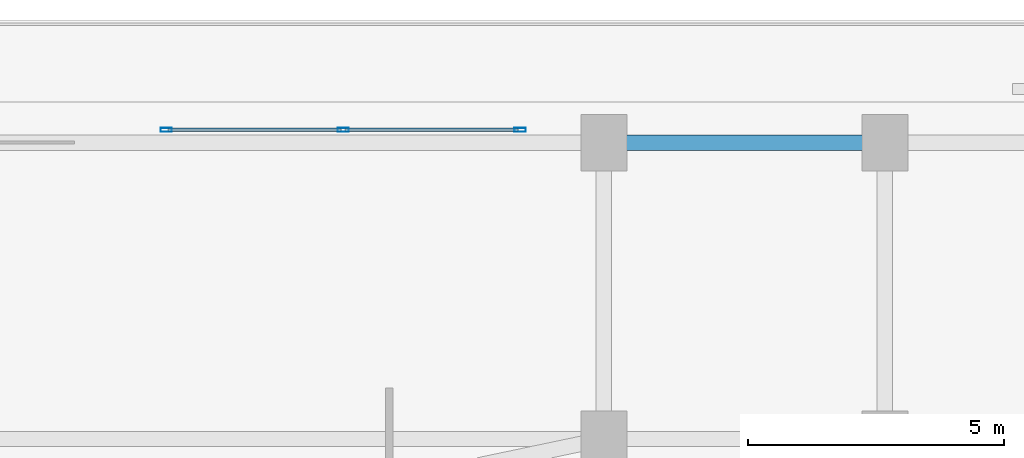
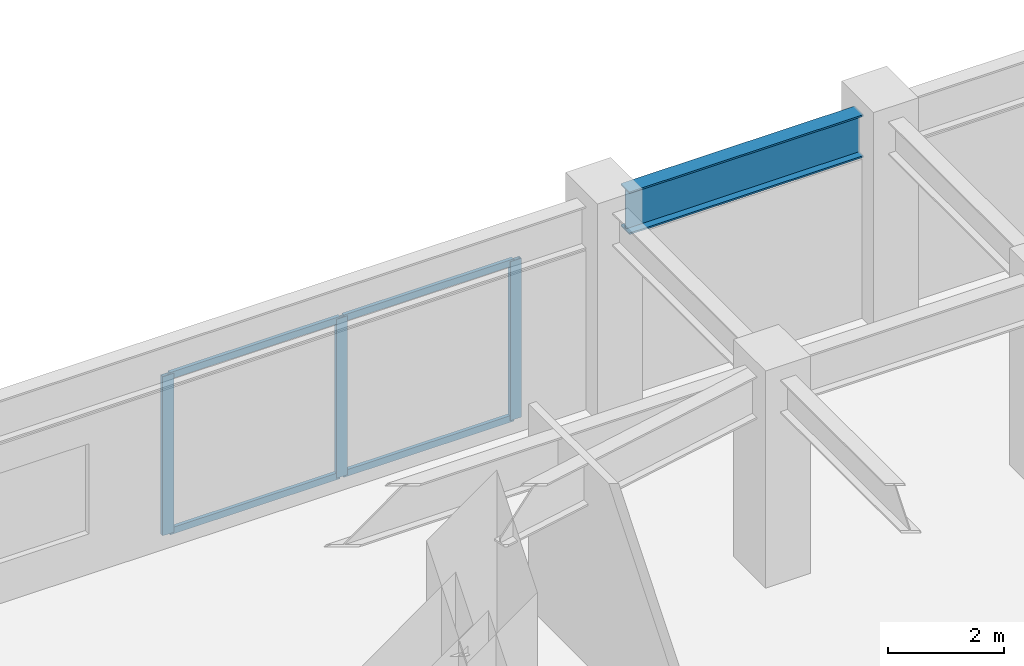
# One storey, part 4 of 9: 7 members, 1 beam, 1 element without a shape of its own.
"""IFC4 building model written with IfcOpenShell, lengths in metres."""

from ifc_helpers import new_model, si_unit, direction, frame, origin, origin_2d, place, context, subcontext, project, spatial, hollow_rectangle, i_section, extrude, material, layer, layer_set, material_profile, profile_set, type_object, element, aggregate, save


model = new_model("IFC4")

# Units and contexts
model_context = context("Model", 3, precision=1e-05, world=origin(), true_north=direction((0.0, 1.0)))
body_context = subcontext(model_context, "Body", "Model", "MODEL_VIEW")
ifc_project = project(units=[si_unit("LENGTHUNIT", "METRE"), si_unit("AREAUNIT", "SQUARE_METRE"), si_unit("VOLUMEUNIT", "CUBIC_METRE"), si_unit("PLANEANGLEUNIT", "RADIAN"), si_unit("MASSUNIT", "GRAM", prefix="KILO")], contexts=[model_context])

# Site, building, storey
site_placement = place(None, origin())
site = spatial("IfcSite", under=ifc_project, at=site_placement, CompositionType="ELEMENT")
building_placement = place(site_placement, origin())
building = spatial("IfcBuilding", under=site, at=building_placement, Name="Varnakorn Sky Granary", CompositionType="ELEMENT")
storey_placement = place(building_placement, frame((0.0, 0.0, 18.39990234375)))
storey = spatial("IfcBuildingStorey", under=building, at=storey_placement, Name="L04", CompositionType="ELEMENT", Elevation=18.39990234375)

# Beam
ifc_material_1 = material(Name="Steel S355JR", Category="steel")
ifc_material_profile_1 = material_profile(ifc_material_1, i_section(OverallWidth=0.300048828125, OverallDepth=0.89990234375, WebThickness=0.0185546875, FlangeThickness=0.034912109375, at=origin_2d()), Name="HE 900 B")
ifc_profile_set_1 = profile_set([ifc_material_profile_1], Name="Steel S355JR")
beam_type = type_object("IfcBeamType", Name="BM-PG-900", PredefinedType="BEAM", material=ifc_profile_set_1)
beam_placement = place(storey_placement, frame((15.419921875, 19.800048828125, 3.830078125), z_axis=(1.0, 0.0, 0.0), x_axis=(0.0, 1.0, 0.0)))
element("IfcBeam", 1, at=beam_placement, inside=storey, type_object=beam_type, Name="Podium X-Girder GX16 L04", PredefinedType="BEAM", context=body_context, shape_type="SweptSolid", body=[
    extrude(i_section(OverallWidth=0.300048828125, OverallDepth=0.89990234375, WebThickness=0.0185546875, FlangeThickness=0.034912109375, at=origin_2d()), origin(), (0.0, 0.0, 1.0), 4.66015625),
])

# Curtain wall, members
ifc_material_2 = material(Name="Anodised Bronze Aluminium Alloy 6063-T6", Category="aluminium")
ifc_layer = layer(ifc_material_2, 0.2099609375, Name="Anodised Bronze Aluminium Alloy 6063-T6")
ifc_layer_set = layer_set([ifc_layer], Name="Anodised Bronze Aluminium Alloy 6063-T6")
curtain_wall_type = type_object("IfcCurtainWallType", Name="CW-POD-2", PredefinedType="USERDEFINED", material=ifc_layer_set)
curtain_wall_placement = place(storey_placement, origin())
curtain_wall = element("IfcCurtainWall", 2, at=curtain_wall_placement, inside=storey, type_object=curtain_wall_type, Name="Unitised Curtain Wall CW2 CW-L04-P2", ObjectType="CURTAIN WALL", PredefinedType="USERDEFINED")
ifc_material_profile_2 = material_profile(ifc_material_2, hollow_rectangle(XDim=0.074951171875, YDim=0.219970703125, WallThickness=0.00390625, at=origin_2d()), Name="ALU MULL 75x220")
ifc_profile_set_2 = profile_set([ifc_material_profile_2], Name="Anodised Bronze Aluminium Alloy 6063-T6")
member_type_1 = type_object("IfcMemberType", Name="CW-POD-2-MULL", PredefinedType="MULLION", material=ifc_profile_set_2)
member_1_placement = place(storey_placement, frame((6.4375, 20.050048828125, 0.0), z_axis=(0.0, 0.0, 1.0), x_axis=(0.0, 1.0, 0.0)))
member_1 = element("IfcMember", 3, at=member_1_placement, type_object=member_type_1, Name="CW2 mullion 1", PredefinedType="MULLION", context=body_context, shape_type="SweptSolid", body=[
    extrude(hollow_rectangle(XDim=0.074951171875, YDim=0.219970703125, WallThickness=0.00390625, at=origin_2d()), origin(), (0.0, 0.0, 1.0), 3.35009765625),
])
member_2_placement = place(storey_placement, frame((9.89990234375, 20.050048828125, 0.0), z_axis=(0.0, 0.0, 1.0), x_axis=(0.0, 1.0, 0.0)))
member_2 = element("IfcMember", 4, at=member_2_placement, type_object=member_type_1, Name="CW2 mullion 2", PredefinedType="MULLION", context=body_context, shape_type="SweptSolid", body=[
    extrude(hollow_rectangle(XDim=0.074951171875, YDim=0.219970703125, WallThickness=0.00390625, at=origin_2d()), origin(), (0.0, 0.0, 1.0), 3.35009765625),
])
member_3_placement = place(storey_placement, frame((13.362548828125, 20.050048828125, 0.0), z_axis=(0.0, 0.0, 1.0), x_axis=(0.0, 1.0, 0.0)))
member_3 = element("IfcMember", 5, at=member_3_placement, type_object=member_type_1, Name="CW2 mullion 3", PredefinedType="MULLION", context=body_context, shape_type="SweptSolid", body=[
    extrude(hollow_rectangle(XDim=0.074951171875, YDim=0.219970703125, WallThickness=0.00390625, at=origin_2d()), origin(), (0.0, 0.0, 1.0), 3.35009765625),
])
ifc_material_profile_3 = material_profile(ifc_material_2, hollow_rectangle(XDim=0.070068359375, YDim=0.139892578125, WallThickness=0.00341796875, at=origin_2d()), Name="ALU TRAN 70x140")
ifc_profile_set_3 = profile_set([ifc_material_profile_3], Name="Anodised Bronze Aluminium Alloy 6063-T6")
member_type_2 = type_object("IfcMemberType", Name="CW-POD-2-TRAN", PredefinedType="USERDEFINED", material=ifc_profile_set_3)
member_4_placement = place(storey_placement, frame((6.47509765625, 20.050048828125, 0.03515625), z_axis=(1.0, 0.0, 0.0), x_axis=(0.0, 1.0, 0.0)))
member_4 = element("IfcMember", 6, at=member_4_placement, type_object=member_type_2, Name="CW2 transom 1.1", ObjectType="TRANSOM", PredefinedType="USERDEFINED", context=body_context, shape_type="SweptSolid", body=[
    extrude(hollow_rectangle(XDim=0.070068359375, YDim=0.139892578125, WallThickness=0.00341796875, at=origin_2d()), origin(), (0.0, 0.0, 1.0), 3.387451171875),
])
member_5_placement = place(storey_placement, frame((6.47509765625, 20.050048828125, 3.315185546875), z_axis=(1.0, 0.0, 0.0), x_axis=(0.0, 1.0, 0.0)))
member_5 = element("IfcMember", 7, at=member_5_placement, type_object=member_type_2, Name="CW2 transom 1.2", ObjectType="TRANSOM", PredefinedType="USERDEFINED", context=body_context, shape_type="SweptSolid", body=[
    extrude(hollow_rectangle(XDim=0.070068359375, YDim=0.139892578125, WallThickness=0.00341796875, at=origin_2d()), origin(), (0.0, 0.0, 1.0), 3.387451171875),
])
member_6_placement = place(storey_placement, frame((9.9375, 20.050048828125, 0.03515625), z_axis=(1.0, 0.0, 0.0), x_axis=(0.0, 1.0, 0.0)))
member_6 = element("IfcMember", 8, at=member_6_placement, type_object=member_type_2, Name="CW2 transom 2.1", ObjectType="TRANSOM", PredefinedType="USERDEFINED", context=body_context, shape_type="SweptSolid", body=[
    extrude(hollow_rectangle(XDim=0.070068359375, YDim=0.139892578125, WallThickness=0.00341796875, at=origin_2d()), origin(), (0.0, 0.0, 1.0), 3.387451171875),
])
member_7_placement = place(storey_placement, frame((9.9375, 20.050048828125, 3.315185546875), z_axis=(1.0, 0.0, 0.0), x_axis=(0.0, 1.0, 0.0)))
member_7 = element("IfcMember", 9, at=member_7_placement, type_object=member_type_2, Name="CW2 transom 2.2", ObjectType="TRANSOM", PredefinedType="USERDEFINED", context=body_context, shape_type="SweptSolid", body=[
    extrude(hollow_rectangle(XDim=0.070068359375, YDim=0.139892578125, WallThickness=0.00341796875, at=origin_2d()), origin(), (0.0, 0.0, 1.0), 3.387451171875),
])
aggregate(curtain_wall, [member_1, member_2, member_3, member_4, member_5, member_6, member_7])

save(model, "model.ifc")
